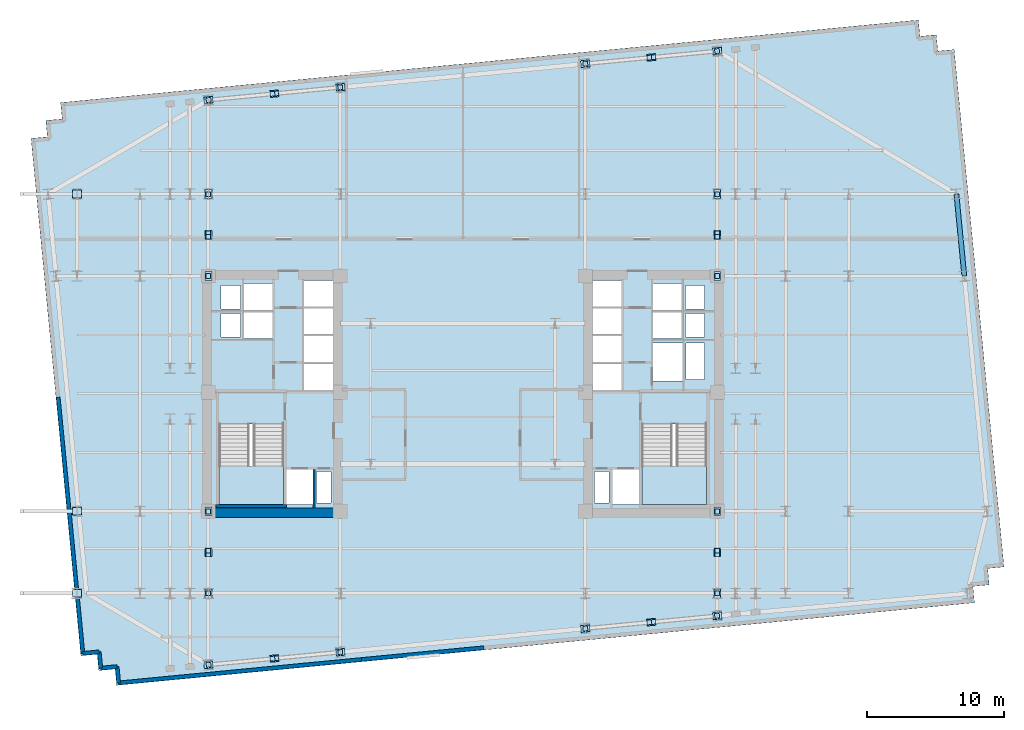
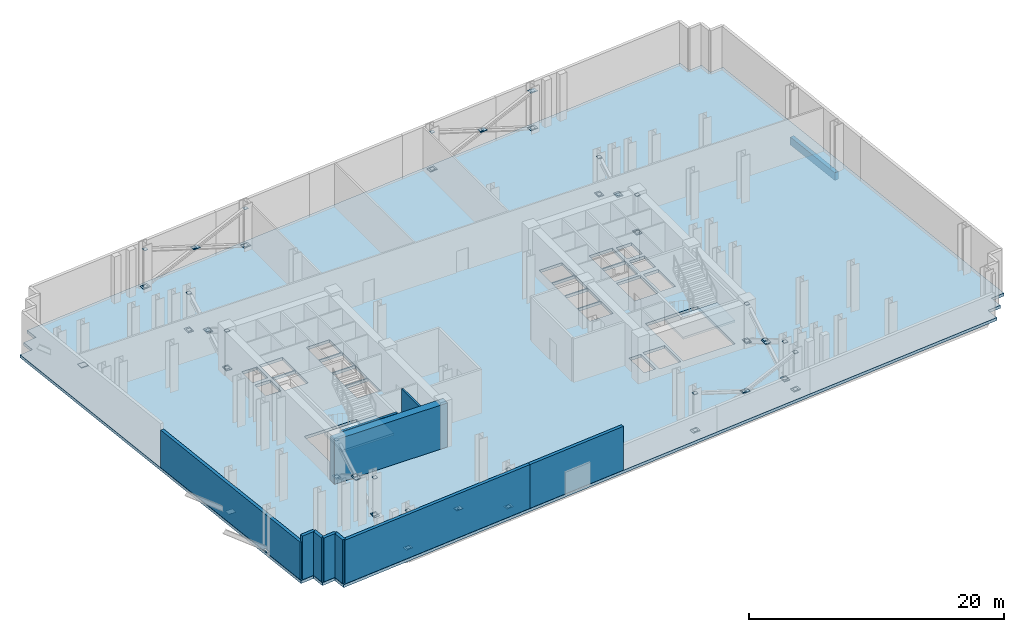
# One storey, part 4 of 9: 76 plates, 10 walls, 3 slabs, 1 beam, 2 elements without a shape of their own.
"""IFC4 building model written with IfcOpenShell, lengths in metres."""

from ifc_helpers import new_model, si_unit, direction, frame, frame_2d, origin, origin_2d, place, context, subcontext, project, spatial, polyline, rectangle, outline, extrude, material, layer, layer_set, material_profile, profile_set, type_object, element, aggregate, save


model = new_model("IFC4")

# Units and contexts
model_context = context("Model", 3, precision=1e-05, world=origin(), true_north=direction((0.0, 1.0)))
body_context = subcontext(model_context, "Body", "Model", "MODEL_VIEW")
ifc_project = project(units=[si_unit("LENGTHUNIT", "METRE"), si_unit("AREAUNIT", "SQUARE_METRE"), si_unit("VOLUMEUNIT", "CUBIC_METRE"), si_unit("PLANEANGLEUNIT", "RADIAN"), si_unit("MASSUNIT", "GRAM", prefix="KILO")], contexts=[model_context])

# Site, building, storey
site_placement = place(None, origin())
site = spatial("IfcSite", under=ifc_project, at=site_placement, CompositionType="ELEMENT")
building_placement = place(site_placement, origin())
building = spatial("IfcBuilding", under=site, at=building_placement, Name="Velakula Bourse", CompositionType="ELEMENT")
storey_placement = place(building_placement, frame((0.0, 0.0, 112.14990234375)))
storey = spatial("IfcBuildingStorey", under=building, at=storey_placement, Name="L30", CompositionType="ELEMENT", Elevation=112.14990234375)

# Beam
ifc_material_1 = material(Name="Precast concrete M45 (fck 45 MPa)", Category="concrete")
ifc_material_profile = material_profile(ifc_material_1, rectangle(XDim=0.35009765625, YDim=0.75, at=origin_2d()), Name="Precast concrete M45 (fck 45 MPa)")
ifc_profile_set = profile_set([ifc_material_profile], Name="Precast concrete M45 (fck 45 MPa)")
beam_type = type_object("IfcBeamType", Name="SPN-BRICK-750", PredefinedType="SPANDREL", material=ifc_profile_set)
beam_placement = place(storey_placement, frame((36.66357421875, 8.60009765625, -0.65478515625), z_axis=(-0.095829714309, 0.995397742541, 0.0), x_axis=(-0.995397742541, -0.095829714309, 0.0)))
element("IfcBeam", 1, at=beam_placement, inside=storey, type_object=beam_type, Name="L30 Brick-Faced Precast Spandrel E3-E4", PredefinedType="SPANDREL", context=body_context, shape_type="SweptSolid", body=[
    extrude(rectangle(XDim=0.35009765625, YDim=0.75, at=origin_2d()), origin(), (0.0, 0.0, 1.0), 6.02783203125),
])

# Plates
ifc_material_2 = material(Name="Steel IS 2062 Grade 350 (E350)", Category="steel")
ifc_layer_1 = layer(ifc_material_2, 0.0400390625, Name="Steel IS 2062 Grade 350 (E350)", Category="steel")
ifc_layer_set_1 = layer_set([ifc_layer_1], Name="Steel IS 2062 Grade 350 (E350)")
plate_type_1 = type_object("IfcPlateType", Name="PLT-ENDCAP-340", PredefinedType="USERDEFINED", material=ifc_layer_set_1)
for number, where, z_axis, x_axis, name in (
    (2, (-18.60009765625, -8.6103515625, 0.2861328125), (0.0, 0.0, 1.0), (0.0, -1.0, 0.0), "L30 Continuous Outrigger and Belt X-Brace OT-NS1 hollow end cap plate 1"),
    (3, (-18.60009765625, -14.589599609375, 3.843994140625), (0.0, 0.0, 1.0), (0.0, -1.0, 0.0), "L30 Continuous Outrigger and Belt X-Brace OT-NS1 hollow end cap plate 2"),
    (4, (-18.60009765625, -14.589599609375, 0.2861328125), (0.0, 0.0, 1.0), (0.0, 1.0, 0.0), "L30 Split X-Brace Lower Segment OT-NS2A hollow end cap plate 1"),
    (5, (-18.60009765625, -11.730712890625, 1.9873046875), (0.0, 0.0, 1.0), (0.0, 1.0, 0.0), "L30 Split X-Brace Lower Segment OT-NS2A hollow end cap plate 2"),
    (6, (-18.60009765625, -11.469482421875, 2.142822265625), (0.0, 0.0, 1.0), (0.0, 1.0, 0.0), "L30 Split X-Brace Upper Segment OT-NS2B hollow end cap plate 1"),
    (7, (-18.60009765625, -8.6103515625, 3.843994140625), (0.0, 0.0, 1.0), (0.0, 1.0, 0.0), "L30 Split X-Brace Upper Segment OT-NS2B hollow end cap plate 2"),
    (8, (-18.60009765625, 8.6103515625, 0.2861328125), (0.0, 0.0, 1.0), (0.0, 1.0, 0.0), "L30 Continuous Outrigger and Belt X-Brace OT-NS3 hollow end cap plate 1"),
    (9, (-18.60009765625, 14.589599609375, 3.843994140625), (0.0, 0.0, 1.0), (0.0, 1.0, 0.0), "L30 Continuous Outrigger and Belt X-Brace OT-NS3 hollow end cap plate 2"),
    (10, (-18.60009765625, 14.589599609375, 0.2861328125), (0.0, 0.0, 1.0), (0.0, -1.0, 0.0), "L30 Split X-Brace Lower Segment OT-NS4A hollow end cap plate 1"),
    (11, (-18.60009765625, 11.730712890625, 1.9873046875), (0.0, 0.0, 1.0), (0.0, -1.0, 0.0), "L30 Split X-Brace Lower Segment OT-NS4A hollow end cap plate 2"),
    (12, (-18.60009765625, 11.469482421875, 2.142822265625), (0.0, 0.0, 1.0), (0.0, -1.0, 0.0), "L30 Split X-Brace Upper Segment OT-NS4B hollow end cap plate 1"),
    (13, (-18.60009765625, 8.6103515625, 3.843994140625), (0.0, 0.0, 1.0), (0.0, -1.0, 0.0), "L30 Split X-Brace Upper Segment OT-NS4B hollow end cap plate 2"),
    (14, (18.60009765625, -8.6103515625, 0.2861328125), (0.0, 0.0, 1.0), (0.0, -1.0, 0.0), "L30 Continuous Outrigger and Belt X-Brace OT-NS5 hollow end cap plate 1"),
    (15, (18.60009765625, -14.589599609375, 3.843994140625), (0.0, 0.0, 1.0), (0.0, -1.0, 0.0), "L30 Continuous Outrigger and Belt X-Brace OT-NS5 hollow end cap plate 2"),
    (16, (18.60009765625, -14.589599609375, 0.2861328125), (0.0, 0.0, 1.0), (0.0, 1.0, 0.0), "L30 Split X-Brace Lower Segment OT-NS6A hollow end cap plate 1"),
    (17, (18.60009765625, -11.730712890625, 1.9873046875), (0.0, 0.0, 1.0), (0.0, 1.0, 0.0), "L30 Split X-Brace Lower Segment OT-NS6A hollow end cap plate 2"),
    (18, (18.60009765625, -11.469482421875, 2.142822265625), (0.0, 0.0, 1.0), (0.0, 1.0, 0.0), "L30 Split X-Brace Upper Segment OT-NS6B hollow end cap plate 1"),
    (19, (18.60009765625, -8.6103515625, 3.843994140625), (0.0, 0.0, 1.0), (0.0, 1.0, 0.0), "L30 Split X-Brace Upper Segment OT-NS6B hollow end cap plate 2"),
    (20, (18.60009765625, 8.6103515625, 0.2861328125), (0.0, 0.0, 1.0), (0.0, 1.0, 0.0), "L30 Continuous Outrigger and Belt X-Brace OT-NS7 hollow end cap plate 1"),
    (21, (18.60009765625, 14.589599609375, 3.843994140625), (0.0, 0.0, 1.0), (0.0, 1.0, 0.0), "L30 Continuous Outrigger and Belt X-Brace OT-NS7 hollow end cap plate 2"),
    (22, (18.60009765625, 14.589599609375, 0.2861328125), (0.0, 0.0, 1.0), (0.0, -1.0, 0.0), "L30 Split X-Brace Lower Segment OT-NS8A hollow end cap plate 1"),
    (23, (18.60009765625, 11.730712890625, 1.9873046875), (0.0, 0.0, 1.0), (0.0, -1.0, 0.0), "L30 Split X-Brace Lower Segment OT-NS8A hollow end cap plate 2"),
    (24, (18.60009765625, 11.469482421875, 2.142822265625), (0.0, 0.0, 1.0), (0.0, -1.0, 0.0), "L30 Split X-Brace Upper Segment OT-NS8B hollow end cap plate 1"),
    (25, (18.60009765625, 8.6103515625, 3.843994140625), (0.0, 0.0, 1.0), (0.0, -1.0, 0.0), "L30 Split X-Brace Upper Segment OT-NS8B hollow end cap plate 2"),
    (26, (-18.5888671875, -19.820068359375, 0.2841796875), (0.0, 0.0, 1.0), (0.995396198367, 0.09584575252, 0.0), "L30 Continuous Outrigger and Belt X-Brace BT-S1 hollow end cap plate 1"),
    (27, (-8.961181640625, -18.89306640625, 3.845947265625), (0.0, 0.0, 1.0), (0.995396198367, 0.09584575252, 0.0), "L30 Continuous Outrigger and Belt X-Brace BT-S1 hollow end cap plate 2"),
    (28, (-8.961181640625, -18.89306640625, 0.2841796875), (0.0, 0.0, 1.0), (-0.995396198367, -0.09584575252, 0.0), "L30 Split X-Brace Lower Segment BT-S2A hollow end cap plate 1"),
    (29, (-13.633056640625, -19.343017578125, 2.012451171875), (0.0, 0.0, 1.0), (-0.995396198367, -0.09584575252, 0.0), "L30 Split X-Brace Lower Segment BT-S2A hollow end cap plate 2"),
    (30, (-13.9169921875, -19.370361328125, 2.11767578125), (0.0, 0.0, 1.0), (-0.995396198367, -0.09584575252, 0.0), "L30 Split X-Brace Upper Segment BT-S2B hollow end cap plate 1"),
    (31, (-18.5888671875, -19.820068359375, 3.845947265625), (0.0, 0.0, 1.0), (-0.995396198367, -0.09584575252, 0.0), "L30 Split X-Brace Upper Segment BT-S2B hollow end cap plate 2"),
    (32, (8.961181640625, -17.167236328125, 0.2841796875), (0.0, 0.0, 1.0), (0.995396198367, 0.09584575252, 0.0), "L30 Continuous Outrigger and Belt X-Brace BT-S3 hollow end cap plate 1"),
    (33, (18.5888671875, -16.240234375, 3.845947265625), (0.0, 0.0, 1.0), (0.995396198367, 0.09584575252, 0.0), "L30 Continuous Outrigger and Belt X-Brace BT-S3 hollow end cap plate 2"),
    (34, (18.5888671875, -16.240234375, 0.2841796875), (0.0, 0.0, 1.0), (-0.995396198367, -0.09584575252, 0.0), "L30 Split X-Brace Lower Segment BT-S4A hollow end cap plate 1"),
    (35, (13.9169921875, -16.690185546875, 2.012451171875), (0.0, 0.0, 1.0), (-0.995396198367, -0.09584575252, 0.0), "L30 Split X-Brace Lower Segment BT-S4A hollow end cap plate 2"),
    (36, (13.633056640625, -16.717529296875, 2.11767578125), (0.0, 0.0, 1.0), (-0.995396198367, -0.09584575252, 0.0), "L30 Split X-Brace Upper Segment BT-S4B hollow end cap plate 1"),
    (37, (8.961181640625, -17.167236328125, 3.845947265625), (0.0, 0.0, 1.0), (-0.995396198367, -0.09584575252, 0.0), "L30 Split X-Brace Upper Segment BT-S4B hollow end cap plate 2"),
    (38, (-18.5888671875, 21.469970703125, 0.2841796875), (0.0, 0.0, 1.0), (0.995396198367, 0.09584575252, 0.0), "L30 Continuous Outrigger and Belt X-Brace BT-N1 hollow end cap plate 1"),
    (39, (-8.961181640625, 22.39697265625, 3.845947265625), (0.0, 0.0, 1.0), (0.995396198367, 0.09584575252, 0.0), "L30 Continuous Outrigger and Belt X-Brace BT-N1 hollow end cap plate 2"),
    (40, (-8.961181640625, 22.39697265625, 0.2841796875), (0.0, 0.0, 1.0), (-0.995396198367, -0.09584575252, 0.0), "L30 Split X-Brace Lower Segment BT-N2A hollow end cap plate 1"),
    (41, (-13.633056640625, 21.947265625, 2.012451171875), (0.0, 0.0, 1.0), (-0.995396198367, -0.09584575252, 0.0), "L30 Split X-Brace Lower Segment BT-N2A hollow end cap plate 2"),
    (42, (-13.9169921875, 21.919921875, 2.11767578125), (0.0, 0.0, 1.0), (-0.995396198367, -0.09584575252, 0.0), "L30 Split X-Brace Upper Segment BT-N2B hollow end cap plate 1"),
    (43, (-18.5888671875, 21.469970703125, 3.845947265625), (0.0, 0.0, 1.0), (-0.995396198367, -0.09584575252, 0.0), "L30 Split X-Brace Upper Segment BT-N2B hollow end cap plate 2"),
    (44, (8.961181640625, 24.122802734375, 0.2841796875), (0.0, 0.0, 1.0), (0.995396198367, 0.09584575252, 0.0), "L30 Continuous Outrigger and Belt X-Brace BT-N3 hollow end cap plate 1"),
    (45, (18.5888671875, 25.0498046875, 3.845947265625), (0.0, 0.0, 1.0), (0.995396198367, 0.09584575252, 0.0), "L30 Continuous Outrigger and Belt X-Brace BT-N3 hollow end cap plate 2"),
    (46, (18.5888671875, 25.0498046875, 0.2841796875), (0.0, 0.0, 1.0), (-0.995396198367, -0.09584575252, 0.0), "L30 Split X-Brace Lower Segment BT-N4A hollow end cap plate 1"),
    (47, (13.9169921875, 24.599853515625, 2.012451171875), (0.0, 0.0, 1.0), (-0.995396198367, -0.09584575252, 0.0), "L30 Split X-Brace Lower Segment BT-N4A hollow end cap plate 2"),
    (48, (13.633056640625, 24.572509765625, 2.11767578125), (0.0, 0.0, 1.0), (-0.995396198367, -0.09584575252, 0.0), "L30 Split X-Brace Upper Segment BT-N4B hollow end cap plate 1"),
    (49, (8.961181640625, 24.122802734375, 3.845947265625), (0.0, 0.0, 1.0), (-0.995396198367, -0.09584575252, 0.0), "L30 Split X-Brace Upper Segment BT-N4B hollow end cap plate 2"),
):
    element("IfcPlate", number, at=place(storey_placement, frame(where, z_axis=z_axis, x_axis=x_axis)), inside=storey, type_object=plate_type_1, Name=name, ObjectType="GUSSET PLATE", PredefinedType="USERDEFINED", context=body_context, shape_type="SweptSolid", body=[
        extrude(rectangle(XDim=0.340087890625, YDim=0.340087890625, at=origin_2d()), origin(), (0.0, 0.0, 1.0), 0.0400390625),
    ])
ifc_layer_2 = layer(ifc_material_2, 0.0400390625, Name="Steel IS 2062 Grade 350 (E350)", Category="steel")
ifc_layer_set_2 = layer_set([ifc_layer_2], Name="Steel IS 2062 Grade 350 (E350)")
plate_type_2 = type_object("IfcPlateType", Name="PLT-NODE-OTR", PredefinedType="USERDEFINED", material=ifc_layer_set_2)
for number, where, z_axis, x_axis, name in (
    (50, (-18.60009765625, -11.60009765625, 2.065185546875), (0.0, 0.0, 1.0), (0.0, -1.0, 0.0), "L30 X-Brace Central Crossing Gusset Plate 1"),
    (51, (-18.60009765625, -8.60009765625, 0.280029296875), (0.0, 0.0, 1.0), (0.0, -1.0, 0.0), "L30 X-Brace Corner Gusset Plate 1.1"),
    (52, (-18.60009765625, -14.60009765625, 0.280029296875), (0.0, 0.0, 1.0), (0.0, -1.0, 0.0), "L30 X-Brace Corner Gusset Plate 1.3"),
    (53, (-18.60009765625, 11.60009765625, 2.065185546875), (0.0, 0.0, 1.0), (0.0, 1.0, 0.0), "L30 X-Brace Central Crossing Gusset Plate 2"),
    (54, (-18.60009765625, 8.60009765625, 0.280029296875), (0.0, 0.0, 1.0), (0.0, 1.0, 0.0), "L30 X-Brace Corner Gusset Plate 2.1"),
    (55, (-18.60009765625, 14.60009765625, 0.280029296875), (0.0, 0.0, 1.0), (0.0, 1.0, 0.0), "L30 X-Brace Corner Gusset Plate 2.3"),
    (56, (18.60009765625, -11.60009765625, 2.065185546875), (0.0, 0.0, 1.0), (0.0, -1.0, 0.0), "L30 X-Brace Central Crossing Gusset Plate 3"),
    (57, (18.60009765625, -8.60009765625, 0.280029296875), (0.0, 0.0, 1.0), (0.0, -1.0, 0.0), "L30 X-Brace Corner Gusset Plate 3.1"),
    (58, (18.60009765625, -14.60009765625, 0.280029296875), (0.0, 0.0, 1.0), (0.0, -1.0, 0.0), "L30 X-Brace Corner Gusset Plate 3.3"),
    (59, (18.60009765625, 11.60009765625, 2.065185546875), (0.0, 0.0, 1.0), (0.0, 1.0, 0.0), "L30 X-Brace Central Crossing Gusset Plate 4"),
    (60, (18.60009765625, 8.60009765625, 0.280029296875), (0.0, 0.0, 1.0), (0.0, 1.0, 0.0), "L30 X-Brace Corner Gusset Plate 4.1"),
    (61, (18.60009765625, 14.60009765625, 0.280029296875), (0.0, 0.0, 1.0), (0.0, 1.0, 0.0), "L30 X-Brace Corner Gusset Plate 4.3"),
    (62, (-13.77490234375, -19.356689453125, 2.065185546875), (0.0, 0.0, 1.0), (0.995396198367, 0.09584575252, 0.0), "L30 X-Brace Central Crossing Gusset Plate 5"),
    (63, (-18.60009765625, -19.8212890625, 0.280029296875), (0.0, 0.0, 1.0), (0.995396198367, 0.09584575252, 0.0), "L30 X-Brace Corner Gusset Plate 5.1"),
    (64, (-8.949951171875, -18.89208984375, 0.280029296875), (0.0, 0.0, 1.0), (0.995396198367, 0.09584575252, 0.0), "L30 X-Brace Corner Gusset Plate 5.3"),
    (65, (13.77490234375, -16.703857421875, 2.065185546875), (0.0, 0.0, 1.0), (0.995396198367, 0.09584575252, 0.0), "L30 X-Brace Central Crossing Gusset Plate 6"),
    (66, (8.949951171875, -17.16845703125, 0.280029296875), (0.0, 0.0, 1.0), (0.995396198367, 0.09584575252, 0.0), "L30 X-Brace Corner Gusset Plate 6.1"),
    (67, (18.60009765625, -16.2392578125, 0.280029296875), (0.0, 0.0, 1.0), (0.995396198367, 0.09584575252, 0.0), "L30 X-Brace Corner Gusset Plate 6.3"),
    (68, (-13.77490234375, 21.93359375, 2.065185546875), (0.0, 0.0, 1.0), (0.995396198367, 0.09584575252, 0.0), "L30 X-Brace Central Crossing Gusset Plate 7"),
    (69, (-18.60009765625, 21.468994140625, 0.280029296875), (0.0, 0.0, 1.0), (0.995396198367, 0.09584575252, 0.0), "L30 X-Brace Corner Gusset Plate 7.1"),
    (70, (-8.949951171875, 22.398193359375, 0.280029296875), (0.0, 0.0, 1.0), (0.995396198367, 0.09584575252, 0.0), "L30 X-Brace Corner Gusset Plate 7.3"),
    (71, (13.77490234375, 24.586181640625, 2.065185546875), (0.0, 0.0, 1.0), (0.995396198367, 0.09584575252, 0.0), "L30 X-Brace Central Crossing Gusset Plate 8"),
    (72, (8.949951171875, 24.12158203125, 0.280029296875), (0.0, 0.0, 1.0), (0.995396198367, 0.09584575252, 0.0), "L30 X-Brace Corner Gusset Plate 8.1"),
    (73, (18.60009765625, 25.05078125, 3.85009765625), (0.0, 0.0, 1.0), (0.995396198367, 0.09584575252, 0.0), "L30 X-Brace Corner Gusset Plate 8.2"),
    (74, (18.60009765625, 25.05078125, 0.280029296875), (0.0, 0.0, 1.0), (0.995396198367, 0.09584575252, 0.0), "L30 X-Brace Corner Gusset Plate 8.3"),
):
    element("IfcPlate", number, at=place(storey_placement, frame(where, z_axis=z_axis, x_axis=x_axis)), inside=storey, type_object=plate_type_2, Name=name, ObjectType="GUSSET PLATE", PredefinedType="USERDEFINED", context=body_context, shape_type="SweptSolid", body=[
        extrude(rectangle(XDim=0.639892578125, YDim=0.5, at=origin_2d()), origin(), (0.0, 0.0, 1.0), 0.0400390625),
    ])
ifc_layer_3 = layer(ifc_material_2, 0.0400390625, Name="Steel IS 2062 Grade 350 (E350)", Category="steel")
ifc_layer_set_3 = layer_set([ifc_layer_3], Name="Steel IS 2062 Grade 350 (E350)")
plate_type_3 = type_object("IfcPlateType", Name="PLT-NODE-TRF", PredefinedType="USERDEFINED", material=ifc_layer_set_3)
for number, where, z_axis, x_axis, name in (
    (75, (-28.199951171875, -14.60009765625, 0.280029296875), (0.0, 0.0, 1.0), (-1.0, 0.0, 0.0), "L30 Transfer Raking Strut Foot Gusset W1"),
    (76, (-28.199951171875, -8.60009765625, 0.280029296875), (0.0, 0.0, 1.0), (-1.0, 0.0, 0.0), "L30 Transfer Raking Strut Foot Gusset W2"),
    (77, (-28.199951171875, 14.60009765625, 0.280029296875), (0.0, 0.0, 1.0), (-1.0, 0.0, 0.0), "L30 Transfer Raking Strut Foot Gusset W4"),
):
    element("IfcPlate", number, at=place(storey_placement, frame(where, z_axis=z_axis, x_axis=x_axis)), inside=storey, type_object=plate_type_3, Name=name, ObjectType="GUSSET PLATE", PredefinedType="USERDEFINED", context=body_context, shape_type="SweptSolid", body=[
        extrude(rectangle(XDim=0.639892578125, YDim=0.56005859375, at=origin_2d()), origin(), (0.0, 0.0, 1.0), 0.0400390625),
    ])

# Stair, slab
ifc_material_3 = material(Name="Concrete M45 (fck 45 MPa)", Category="concrete")
stair_type = type_object("IfcStairType", Name="STR-DOG-435", PredefinedType="HALF_TURN_STAIR", material=ifc_material_3)
stair_1_placement = place(storey_placement, origin())
stair_1 = element("IfcStair", 78, at=stair_1_placement, inside=storey, type_object=stair_type, Name="L30 West Core Exit Stair ST-W1", PredefinedType="HALF_TURN_STAIR")
ifc_layer_4 = layer(ifc_material_3, 0.199951171875, Name="Concrete M45 (fck 45 MPa)", Category="concrete")
ifc_layer_set_4 = layer_set([ifc_layer_4], Name="Concrete M45 (fck 45 MPa)")
slab_type_1 = type_object("IfcSlabType", Name="SLB-STAIR-LND-200", PredefinedType="LANDING", material=ifc_layer_set_4)
slab_1_placement = place(storey_placement, frame((0.0, 0.0, 2.050048828125)))
slab_1 = element("IfcSlab", 79, at=slab_1_placement, type_object=slab_type_1, Name="ST-W1 landing 1", PredefinedType="LANDING", context=body_context, shape_type="SweptSolid", body=[
    extrude(outline(polyline([(-17.820068359375, -5.280029296875), (-17.820068359375, -8.10009765625), (-13.10009765625, -8.10009765625), (-13.10009765625, -5.280029296875), (-17.820068359375, -5.280029296875)])), origin(), (0.0, 0.0, 1.0), 0.199951171875),
])
aggregate(stair_1, [slab_1])

stair_2_placement = place(storey_placement, origin())
stair_2 = element("IfcStair", 80, at=stair_2_placement, inside=storey, type_object=stair_type, Name="L30 East Core Exit Stair ST-E1", PredefinedType="HALF_TURN_STAIR")
slab_2_placement = place(storey_placement, frame((0.0, 0.0, 2.050048828125)))
slab_2 = element("IfcSlab", 81, at=slab_2_placement, type_object=slab_type_1, Name="ST-E1 landing 1", PredefinedType="LANDING", context=body_context, shape_type="SweptSolid", body=[
    extrude(outline(polyline([(13.10009765625, -5.280029296875), (13.10009765625, -8.10009765625), (17.820068359375, -8.10009765625), (17.820068359375, -5.280029296875), (13.10009765625, -5.280029296875)])), origin(), (0.0, 0.0, 1.0), 0.199951171875),
])
aggregate(stair_2, [slab_2])

# Slab
ifc_material_4 = material(Name="Concrete M50 (fck 50 MPa)", Category="concrete")
ifc_layer_5 = layer(ifc_material_4, 0.280029296875, Name="Concrete M50 (fck 50 MPa)", Category="concrete")
ifc_layer_set_5 = layer_set([ifc_layer_5], Name="Concrete M50 (fck 50 MPa)")
slab_type_2 = type_object("IfcSlabType", Name="SLB-TRF-280", PredefinedType="FLOOR", material=ifc_layer_set_5)
slab_3_placement = place(storey_placement, frame((0.0, 0.0, -0.27978515625)))
element("IfcSlab", 82, at=slab_3_placement, inside=storey, type_object=slab_type_2, Name="L30 Suspended Structural Floor Slab", PredefinedType="FLOOR", context=body_context, shape_type="SweptSolid", body=[
    extrude(outline(polyline([(-25.303955078125, -21.320556640625), (37.406005859375, -15.2822265625), (37.291015625, -14.087890625), (38.485595703125, -13.972900390625), (38.37060546875, -12.7783203125), (39.56494140625, -12.663330078125), (35.9228515625, 25.16162109375), (34.728271484375, 25.046630859375), (34.61328125, 26.2412109375), (33.4189453125, 26.126220703125), (33.303955078125, 27.320556640625), (-29.406005859375, 21.2822265625), (-29.291015625, 20.087890625), (-30.485595703125, 19.972900390625), (-30.37060546875, 18.7783203125), (-31.56494140625, 18.663330078125), (-27.9228515625, -19.16162109375), (-26.728271484375, -19.046630859375), (-26.61328125, -20.2412109375), (-25.4189453125, -20.126220703125), (-25.303955078125, -21.320556640625)]), holes=[polyline([(-17.820068359375, -8.10009765625), (-13.10009765625, -8.10009765625), (-13.10009765625, -2.199951171875), (-17.820068359375, -2.199951171875), (-17.820068359375, -8.10009765625)]), polyline([(13.10009765625, -8.10009765625), (17.820068359375, -8.10009765625), (17.820068359375, -2.199951171875), (13.10009765625, -2.199951171875), (13.10009765625, -8.10009765625)]), polyline([(-12.89990234375, -8.10009765625), (-10.949951171875, -8.10009765625), (-10.949951171875, -5.550048828125), (-12.89990234375, -5.550048828125), (-12.89990234375, -8.10009765625)]), polyline([(10.949951171875, -8.10009765625), (12.89990234375, -8.10009765625), (12.89990234375, -5.550048828125), (10.949951171875, -5.550048828125), (10.949951171875, -8.10009765625)]), polyline([(13.89990234375, 0.919921875), (16.050048828125, 0.919921875), (16.050048828125, 3.719970703125), (13.89990234375, 3.719970703125), (13.89990234375, 0.919921875)]), polyline([(-10.679931640625, -7.97998046875), (-9.6201171875, -7.97998046875), (-9.6201171875, -5.669921875), (-10.679931640625, -5.669921875), (-10.679931640625, -7.97998046875)]), polyline([(-17.679931640625, 4.139892578125), (-16.27001953125, 4.139892578125), (-16.27001953125, 5.85009765625), (-17.679931640625, 5.85009765625), (-17.679931640625, 4.139892578125)]), polyline([(-17.679931640625, 6.2099609375), (-16.27001953125, 6.2099609375), (-16.27001953125, 7.919921875), (-17.679931640625, 7.919921875), (-17.679931640625, 6.2099609375)]), polyline([(9.6201171875, -7.97998046875), (10.679931640625, -7.97998046875), (10.679931640625, -5.669921875), (9.6201171875, -5.669921875), (9.6201171875, -7.97998046875)]), polyline([(16.27001953125, 4.139892578125), (17.679931640625, 4.139892578125), (17.679931640625, 5.85009765625), (16.27001953125, 5.85009765625), (16.27001953125, 4.139892578125)]), polyline([(16.27001953125, 6.2099609375), (17.679931640625, 6.2099609375), (17.679931640625, 7.919921875), (16.27001953125, 7.919921875), (16.27001953125, 6.2099609375)]), polyline([(16.320068359375, 1.0400390625), (17.679931640625, 1.0400390625), (17.679931640625, 3.699951171875), (16.320068359375, 3.699951171875), (16.320068359375, 1.0400390625)]), polyline([(-11.60009765625, 0.280029296875), (-9.5, 0.280029296875), (-9.5, 2.199951171875), (-11.60009765625, 2.199951171875), (-11.60009765625, 0.280029296875)]), polyline([(-11.60009765625, 2.31005859375), (-9.5, 2.31005859375), (-9.5, 4.22998046875), (-11.60009765625, 4.22998046875), (-11.60009765625, 2.31005859375)]), polyline([(-11.60009765625, 4.340087890625), (-9.5, 4.340087890625), (-9.5, 6.260009765625), (-11.60009765625, 6.260009765625), (-11.60009765625, 4.340087890625)]), polyline([(-11.60009765625, 6.3701171875), (-9.5, 6.3701171875), (-9.5, 8.2900390625), (-11.60009765625, 8.2900390625), (-11.60009765625, 6.3701171875)]), polyline([(9.5, 0.280029296875), (11.60009765625, 0.280029296875), (11.60009765625, 2.199951171875), (9.5, 2.199951171875), (9.5, 0.280029296875)]), polyline([(9.5, 2.31005859375), (11.60009765625, 2.31005859375), (11.60009765625, 4.22998046875), (9.5, 4.22998046875), (9.5, 2.31005859375)]), polyline([(9.5, 4.340087890625), (11.60009765625, 4.340087890625), (11.60009765625, 6.260009765625), (9.5, 6.260009765625), (9.5, 4.340087890625)]), polyline([(9.5, 6.3701171875), (11.60009765625, 6.3701171875), (11.60009765625, 8.2900390625), (9.5, 8.2900390625), (9.5, 6.3701171875)]), polyline([(-16.0, 4.02001953125), (-13.89990234375, 4.02001953125), (-13.89990234375, 5.969970703125), (-16.0, 5.969970703125), (-16.0, 4.02001953125)]), polyline([(-16.0, 6.090087890625), (-13.89990234375, 6.090087890625), (-13.89990234375, 8.0400390625), (-16.0, 8.0400390625), (-16.0, 6.090087890625)]), polyline([(13.89990234375, 4.02001953125), (16.0, 4.02001953125), (16.0, 5.969970703125), (13.89990234375, 5.969970703125), (13.89990234375, 4.02001953125)]), polyline([(13.89990234375, 6.090087890625), (16.0, 6.090087890625), (16.0, 8.0400390625), (13.89990234375, 8.0400390625), (13.89990234375, 6.090087890625)])]), origin(), (0.0, 0.0, 1.0), 0.27978515625),
])

# Walls
ifc_layer_6 = layer(ifc_material_4, 0.2099609375, Name="Concrete M50 (fck 50 MPa)", Category="concrete")
ifc_layer_set_6 = layer_set([ifc_layer_6], Name="Concrete M50 (fck 50 MPa)")
wall_type_1 = type_object("IfcWallType", Name="WL-CORE-210", PredefinedType="SHEAR", material=ifc_layer_set_6)
wall_1_placement = place(storey_placement, frame((-18.030029296875, -8.205078125, 0.0), z_axis=(0.0, 0.0, 1.0), x_axis=(1.0, 0.0, 0.0)))
element("IfcWall", 83, at=wall_1_placement, inside=storey, type_object=wall_type_1, Name="L30 Core W Stairwell Shear Wall S", PredefinedType="SHEAR", context=body_context, shape_type="SweptSolid", body=[
    extrude(rectangle(XDim=5.14013671875, YDim=0.2099609375, at=frame_2d((2.570068359375, 0.0))), origin(), (0.0, 0.0, 1.0), 4.22021484375),
])
ifc_material_5 = material(Name="Concrete M70 (fck 70 MPa)", Category="concrete")
ifc_layer_7 = layer(ifc_material_5, 0.699951171875, Name="Concrete M70 (fck 70 MPa)", Category="concrete")
ifc_layer_set_7 = layer_set([ifc_layer_7], Name="Concrete M70 (fck 70 MPa)")
wall_type_2 = type_object("IfcWallType", Name="WL-CORE-700", PredefinedType="SHEAR", material=ifc_layer_set_7)
wall_2_placement = place(storey_placement, frame((-19.050048828125, -8.699951171875, 0.0), z_axis=(0.0, 0.0, 1.0), x_axis=(1.0, 0.0, 0.0)))
element("IfcWall", 84, at=wall_2_placement, inside=storey, type_object=wall_type_2, Name="L30 Core W Shear Wall S", PredefinedType="SHEAR", context=body_context, shape_type="SweptSolid", body=[
    extrude(rectangle(XDim=10.25, YDim=0.699951171875, at=frame_2d((5.125, 0.0))), origin(), (0.0, 0.0, 1.0), 4.22021484375),
])
ifc_material_6 = material(Name="Red kilned clay facing brick masonry", Category="masonry")
ifc_layer_8 = layer(ifc_material_6, 0.280029296875, Name="Red kilned clay facing brick masonry", Category="masonry")
ifc_layer_set_8 = layer_set([ifc_layer_8], Name="Red kilned clay facing brick masonry")
wall_type_3 = type_object("IfcWallType", Name="WL-EXT-BRK-280", PredefinedType="STANDARD", material=ifc_layer_set_8)
wall_3_placement = place(storey_placement, frame((-7.402099609375, -19.43603515625, 0.0), z_axis=(0.0, 0.0, 1.0), x_axis=(-0.995395780835, -0.095850088663, 0.0)))
element("IfcWall", 85, at=wall_3_placement, inside=storey, type_object=wall_type_3, Name="L30 S Brick Spandrel Wall B1", PredefinedType="STANDARD", context=body_context, shape_type="SweptSolid", body=[
    extrude(rectangle(XDim=17.83984375, YDim=0.280029296875, at=frame_2d((8.919921875, 0.0))), origin(), (0.0, 0.0, 1.0), 4.2001953125),
])
wall_4_placement = place(storey_placement, frame((1.556396484375, -18.573486328125, 0.0), z_axis=(0.0, 0.0, 1.0), x_axis=(-0.995396794462, -0.09583956164, 0.0)))
element("IfcWall", 86, at=wall_4_placement, inside=storey, type_object=wall_type_3, Name="L30 S Brick Spandrel Wall B2", PredefinedType="STANDARD", context=body_context, shape_type="SweptSolid", body=[
    extrude(rectangle(XDim=9.0, YDim=0.280029296875, at=frame_2d((4.5, 0.0))), origin(), (0.0, 0.0, 1.0), 4.2001953125),
])
wall_5_placement = place(storey_placement, frame((-27.779052734375, -18.987060546875, 0.0), z_axis=(0.0, 0.0, 1.0), x_axis=(-0.095842534142, 0.995396508256, 0.0)))
element("IfcWall", 87, at=wall_5_placement, inside=storey, type_object=wall_type_3, Name="L30 W Brick End Wall W1", PredefinedType="STANDARD", context=body_context, shape_type="SweptSolid", body=[
    extrude(rectangle(XDim=18.83984375, YDim=0.280029296875, at=frame_2d((9.419921875, 0.0))), origin(), (0.0, 0.0, 1.0), 3.59521484375),
])
for number, where, z_axis, x_axis, name in (
    (88, (-27.779052734375, -18.987060546875, 0.0), (0.0, 0.0, 1.0), (0.995398960025, 0.095817067274, 0.0), "L30 Serrated Corner Brick Wall SW-1"),
    (89, (-26.58447265625, -18.8720703125, 0.0), (0.0, 0.0, 1.0), (0.095817067274, -0.995398960025, 0.0), "L30 Serrated Corner Brick Wall SW-2"),
    (90, (-26.469482421875, -20.066650390625, 0.0), (0.0, 0.0, 1.0), (0.995398960025, 0.095817067274, 0.0), "L30 Serrated Corner Brick Wall SW-3"),
):
    element("IfcWall", number, at=place(storey_placement, frame(where, z_axis=z_axis, x_axis=x_axis)), inside=storey, type_object=wall_type_3, Name=name, PredefinedType="STANDARD", context=body_context, shape_type="SweptSolid", body=[
        extrude(rectangle(XDim=1.2001953125, YDim=0.280029296875, at=frame_2d((0.60009765625, 0.0))), origin(), (0.0, 0.0, 1.0), 4.2001953125),
    ])
wall_6_placement = place(storey_placement, frame((-25.27490234375, -19.95166015625, 0.0), z_axis=(0.0, 0.0, 1.0), x_axis=(0.095836473879, -0.995397091755, 0.0)))
element("IfcWall", 91, at=wall_6_placement, inside=storey, type_object=wall_type_3, Name="L30 Serrated Corner Brick Wall SW-4", PredefinedType="STANDARD", context=body_context, shape_type="SweptSolid", body=[
    extrude(rectangle(XDim=1.199951171875, YDim=0.280029296875, at=frame_2d((0.60009765625, 0.0))), origin(), (0.0, 0.0, 1.0), 4.2001953125),
])
ifc_material_7 = material(Name="Autoclaved aerated concrete blockwork masonry", Category="masonry")
ifc_layer_9 = layer(ifc_material_7, 0.14990234375, Name="Autoclaved aerated concrete blockwork masonry", Category="masonry")
ifc_layer_set_9 = layer_set([ifc_layer_9], Name="Autoclaved aerated concrete blockwork masonry")
wall_type_4 = type_object("IfcWallType", Name="WL-SHAFT-150", PredefinedType="STANDARD", material=ifc_layer_set_9)
wall_7_placement = place(storey_placement, frame((-10.875, -8.35009765625, 0.0), z_axis=(0.0, 0.0, 1.0), x_axis=(0.0, 1.0, 0.0)))
element("IfcWall", 92, at=wall_7_placement, inside=storey, type_object=wall_type_4, Name="L30 Interior Partition WL-CRW-L30-FR-DIV", PredefinedType="STANDARD", context=body_context, shape_type="SweptSolid", body=[
    extrude(rectangle(XDim=2.800048828125, YDim=0.14990234375, at=frame_2d((1.39990234375, 0.0))), origin(), (0.0, 0.0, 1.0), 4.2001953125),
])

save(model, "model.ifc")
